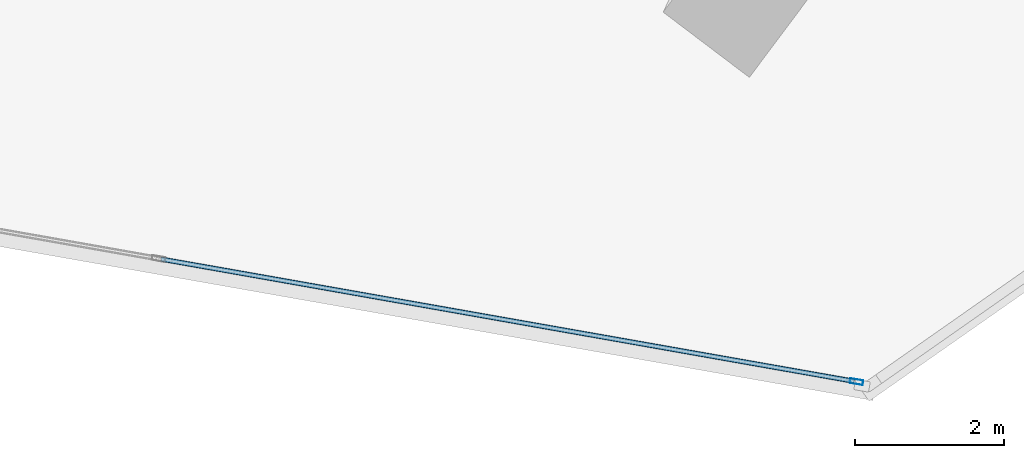
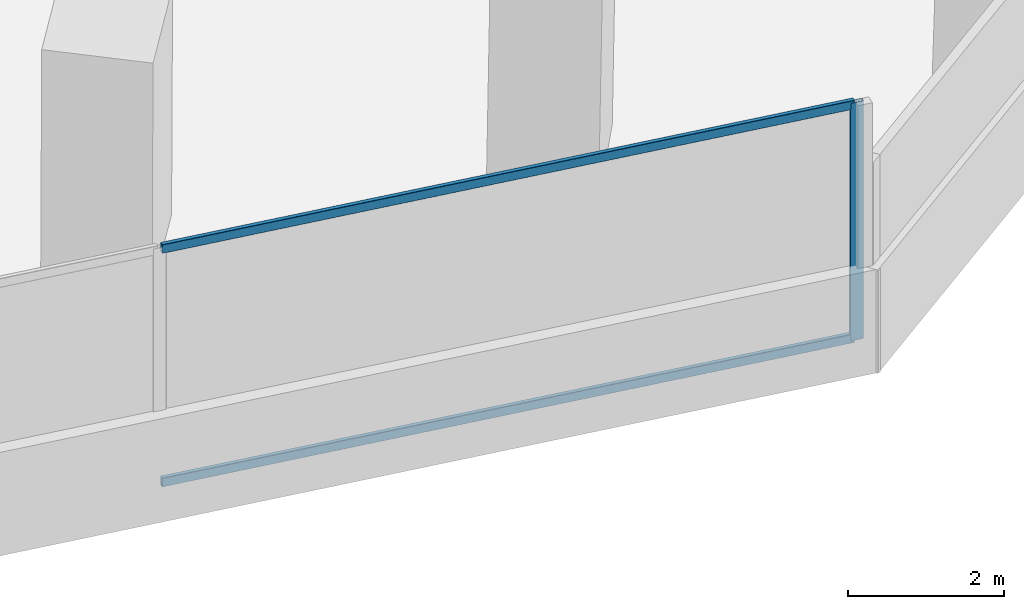
# One storey, part 8 of 24: 3 members, 1 element without a shape of its own.
"""IFC4 building model written with IfcOpenShell, lengths in metres."""

from ifc_helpers import new_model, si_unit, direction, frame, origin, origin_2d, place, context, subcontext, project, spatial, hollow_rectangle, extrude, source, transform, mapped, material, material_profile, profile_set, type_object, element, aggregate, save


model = new_model("IFC4")

# Units and contexts
model_context = context("Model", 3, precision=1e-05, world=origin(), true_north=direction((0.0, 1.0)))
body_context = subcontext(model_context, "Body", "Model", "MODEL_VIEW")
ifc_project = project(units=[si_unit("LENGTHUNIT", "METRE"), si_unit("AREAUNIT", "SQUARE_METRE"), si_unit("VOLUMEUNIT", "CUBIC_METRE"), si_unit("PLANEANGLEUNIT", "RADIAN"), si_unit("MASSUNIT", "GRAM", prefix="KILO")], contexts=[model_context])

# Site, building, storey
site_placement = place(None, origin())
site = spatial("IfcSite", under=ifc_project, at=site_placement, CompositionType="ELEMENT")
building_placement = place(site_placement, origin())
building = spatial("IfcBuilding", under=site, at=building_placement, Name="Torre Montelarca", CompositionType="ELEMENT")
storey_placement = place(building_placement, frame((0.0, 0.0, 83.199951171875)))
storey = spatial("IfcBuildingStorey", under=building, at=storey_placement, Name="L18", CompositionType="ELEMENT", Elevation=83.199951171875)

# Curtain wall, members
ifc_material_1 = material(Name="Insulated low-E laminated glass", Category="glass")
curtain_wall_type = type_object("IfcCurtainWallType", Name="CW-SYS-Z1", PredefinedType="USERDEFINED", material=ifc_material_1)
curtain_wall_placement = place(storey_placement, origin())
curtain_wall = element("IfcCurtainWall", 1, at=curtain_wall_placement, inside=storey, type_object=curtain_wall_type, Name="L18 Curtain Wall Run CW-T3-L18-E04-B1", ObjectType="UNITISED GLAZING", PredefinedType="USERDEFINED")
ifc_material_2 = material(Name="Anodised aluminium AA 6063-T6", Category="aluminium")
ifc_material_profile_1 = material_profile(ifc_material_2, hollow_rectangle(XDim=0.06494140625, YDim=0.139892578125, WallThickness=0.00390625, InnerFilletRadius=0.00390625, OuterFilletRadius=0.008056640625, at=origin_2d()), Name="ALU65X140X4", Category="aluminium")
ifc_profile_set_1 = profile_set([ifc_material_profile_1], Name="Anodised aluminium AA 6063-T6")
member_type_1 = type_object("IfcMemberType", Name="CWT-ALU140", PredefinedType="USERDEFINED", material=ifc_profile_set_1)
shared_shape_1 = source(origin(), body_context, "Body", "SweptSolid", [
    extrude(hollow_rectangle(XDim=0.06494140625, YDim=0.139892578125, WallThickness=0.00390625, InnerFilletRadius=0.00390625, OuterFilletRadius=0.008056640625, at=origin_2d()), origin(), (0.0, 0.0, 1.0), 9.448486328125),
])
member_1_placement = place(storey_placement, frame((43.963623046875, 14.158203125, 0.032470703125), z_axis=(0.984809300493, -0.173639401236, 0.0), x_axis=(0.173639401236, 0.984809300493, 0.0)))
member_1 = element("IfcMember", 2, at=member_1_placement, type_object=member_type_1, Name="CW transom 2.1", ObjectType="TRANSOM", PredefinedType="USERDEFINED", context=body_context, shape_type="MappedRepresentation", body=[
    mapped(shared_shape_1, transform((0.0, 0.0, 0.0), scale=1.0)),
])
member_2_placement = place(storey_placement, frame((43.963623046875, 14.158203125, 3.6875), z_axis=(0.984809300493, -0.173639401236, 0.0), x_axis=(0.173639401236, 0.984809300493, 0.0)))
member_2 = element("IfcMember", 3, at=member_2_placement, type_object=member_type_1, Name="CW transom 2.2", ObjectType="TRANSOM", PredefinedType="USERDEFINED", context=body_context, shape_type="MappedRepresentation", body=[
    mapped(shared_shape_1, transform((0.0, 0.0, 0.0), scale=1.0)),
])
ifc_material_profile_2 = material_profile(ifc_material_2, hollow_rectangle(XDim=0.06494140625, YDim=0.179931640625, WallThickness=0.00390625, InnerFilletRadius=0.00390625, OuterFilletRadius=0.008056640625, at=origin_2d()), Name="ALU65X180X4", Category="aluminium")
ifc_profile_set_2 = profile_set([ifc_material_profile_2], Name="Anodised aluminium AA 6063-T6")
member_type_2 = type_object("IfcMemberType", Name="CWM-ALU180", PredefinedType="MULLION", material=ifc_profile_set_2)
shared_shape_2 = source(origin(), body_context, "Body", "SweptSolid", [
    extrude(hollow_rectangle(XDim=0.06494140625, YDim=0.179931640625, WallThickness=0.00390625, InnerFilletRadius=0.00390625, OuterFilletRadius=0.008056640625, at=origin_2d()), origin(), (0.0, 0.0, 1.0), 3.719970703125),
])
member_3_placement = place(storey_placement, frame((53.300537109375, 12.511962890625, 0.0), z_axis=(0.0, 0.0, 1.0), x_axis=(0.173643103331, 0.984808647741, 0.0)))
member_3 = element("IfcMember", 4, at=member_3_placement, type_object=member_type_2, Name="CW mullion 3", PredefinedType="MULLION", context=body_context, shape_type="MappedRepresentation", body=[
    mapped(shared_shape_2, transform((0.0, 0.0, 0.0), scale=1.0)),
])
aggregate(curtain_wall, [member_3, member_1, member_2])

save(model, "model.ifc")
